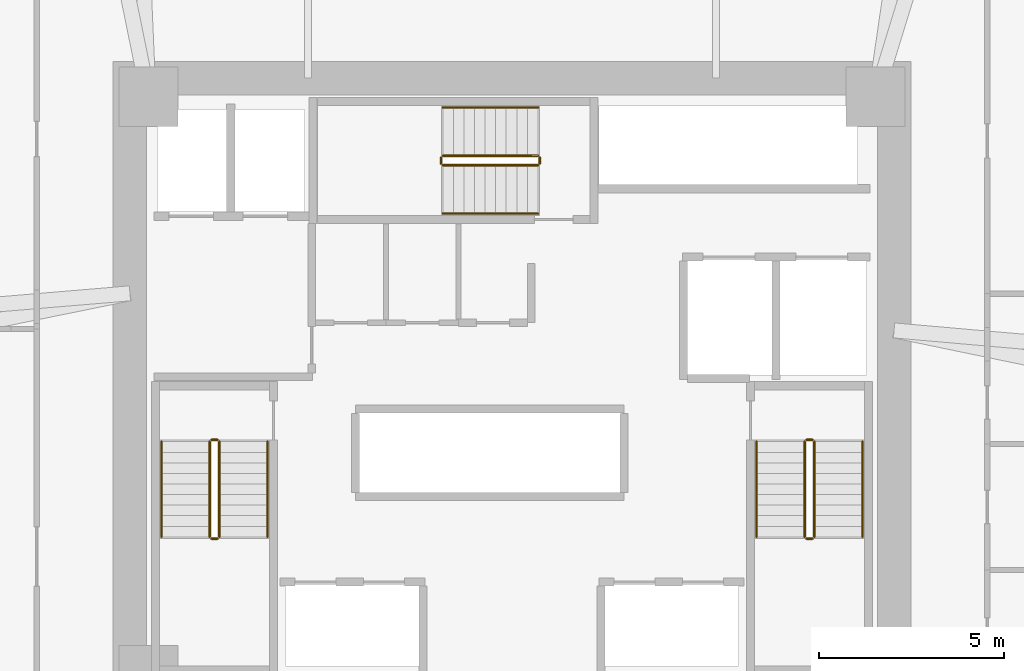
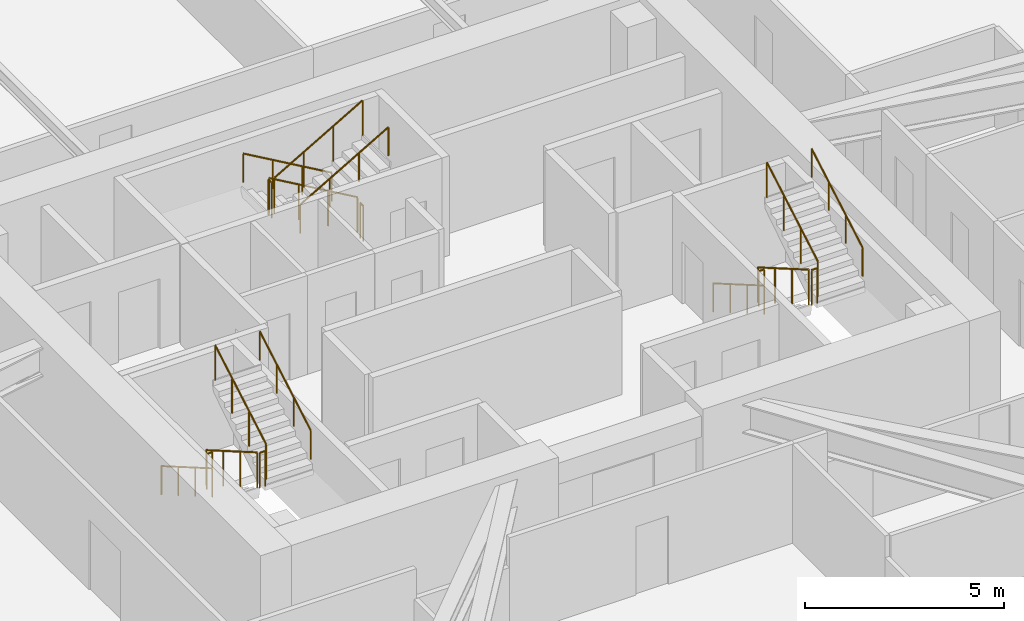
# One storey, part 17 of 17: 18 railings.
"""IFC4 building model written with IfcOpenShell, lengths in metres."""

from ifc_helpers import new_model, si_unit, direction, frame, origin, origin_2d, place, context, subcontext, project, spatial, circle, extrude, material, type_object, element, save


model = new_model("IFC4")

# Units and contexts
model_context = context("Model", 3, precision=1e-05, world=origin(), true_north=direction((0.0, 1.0)))
body_context = subcontext(model_context, "Body", "Model", "MODEL_VIEW")
ifc_project = project(units=[si_unit("LENGTHUNIT", "METRE"), si_unit("AREAUNIT", "SQUARE_METRE"), si_unit("VOLUMEUNIT", "CUBIC_METRE"), si_unit("PLANEANGLEUNIT", "RADIAN"), si_unit("MASSUNIT", "GRAM", prefix="KILO")], contexts=[model_context])

# Site, building, storey
site_placement = place(None, origin())
site = spatial("IfcSite", under=ifc_project, at=site_placement, CompositionType="ELEMENT")
building_placement = place(site_placement, origin())
building = spatial("IfcBuilding", under=site, at=building_placement, Name="Durnholm Broadcast Tower", CompositionType="ELEMENT")
storey_placement = place(building_placement, frame((0.0, 0.0, 52.199951171875)))
storey = spatial("IfcBuildingStorey", under=building, at=storey_placement, Name="L12", CompositionType="ELEMENT", Elevation=52.199951171875)

# Railings
ifc_material_1 = material(Name="Painted Tubular Steel Stair Guardrail", Category="steel")
railing_type_1 = type_object("IfcRailingType", Name="RAIL-ST-GRD", PredefinedType="GUARDRAIL", material=ifc_material_1)
railing_1_placement = place(storey_placement, frame((-8.14990234375, -1.5, 0.1650390625)))
element("IfcRailing", 1, at=railing_1_placement, inside=storey, type_object=railing_type_1, Name="L12 ST-1 stair guard 1", PredefinedType="GUARDRAIL", context=body_context, shape_type="SweptSolid", body=[
    extrude(circle(Radius=0.02392578125, at=origin_2d()), frame((0.0, 0.0, 1.076171875), z_axis=(0.0, -0.865405606168, 0.501071987656), x_axis=(1.0, 0.0, 0.0)), (0.0, 0.0, 1.0), 2.9638671875),
    extrude(circle(Radius=0.02099609375, at=origin_2d()), origin(), (0.0, 0.0, 1.0), 1.052001953125),
    extrude(circle(Radius=0.02099609375, at=origin_2d()), frame((0.0, -0.85498046875, 0.4951171875)), (0.0, 0.0, 1.0), 1.052001953125),
    extrude(circle(Radius=0.02099609375, at=origin_2d()), frame((0.0, -1.7099609375, 0.989990234375)), (0.0, 0.0, 1.0), 1.052001953125),
    extrude(circle(Radius=0.02099609375, at=origin_2d()), frame((0.0, -2.56494140625, 1.485107421875)), (0.0, 0.0, 1.0), 1.052001953125),
])
railing_2_placement = place(storey_placement, frame((-8.10009765625, -4.114990234375, 1.650146484375)))
element("IfcRailing", 2, at=railing_2_placement, inside=storey, type_object=railing_type_1, Name="L12 ST-1 stair guard 2", PredefinedType="GUARDRAIL", context=body_context, shape_type="SweptSolid", body=[
    extrude(circle(Radius=0.02392578125, at=origin_2d()), frame((0.0, 0.0, 1.076171875), z_axis=(1.0, 0.0, 0.0), x_axis=(0.0, 1.0, 0.0)), (0.0, 0.0, 1.0), 0.16015625),
    extrude(circle(Radius=0.02099609375, at=origin_2d()), origin(), (0.0, 0.0, 1.0), 1.052001953125),
    extrude(circle(Radius=0.02099609375, at=origin_2d()), frame((0.16015625, 0.0, 0.0)), (0.0, 0.0, 1.0), 1.052001953125),
])
railing_3_placement = place(storey_placement, frame((-7.889892578125, -4.06494140625, 1.81494140625)))
element("IfcRailing", 3, at=railing_3_placement, inside=storey, type_object=railing_type_1, Name="L12 ST-1 stair guard 3", PredefinedType="GUARDRAIL", context=body_context, shape_type="SweptSolid", body=[
    extrude(circle(Radius=0.02392578125, at=origin_2d()), frame((0.0, 0.0, 1.076171875), z_axis=(0.0, 0.865405606168, 0.501071987656), x_axis=(-1.0, 0.0, 0.0)), (0.0, 0.0, 1.0), 2.9638671875),
    extrude(circle(Radius=0.02099609375, at=origin_2d()), origin(), (0.0, 0.0, 1.0), 1.052001953125),
    extrude(circle(Radius=0.02099609375, at=origin_2d()), frame((0.0, 0.85498046875, 0.4951171875)), (0.0, 0.0, 1.0), 1.052001953125),
    extrude(circle(Radius=0.02099609375, at=origin_2d()), frame((0.0, 1.7099609375, 0.989990234375)), (0.0, 0.0, 1.0), 1.052001953125),
    extrude(circle(Radius=0.02099609375, at=origin_2d()), frame((0.0, 2.56494140625, 1.485107421875)), (0.0, 0.0, 1.0), 1.052001953125),
])
railing_4_placement = place(storey_placement, frame((-8.10009765625, -1.449951171875, 0.0)))
element("IfcRailing", 4, at=railing_4_placement, inside=storey, type_object=railing_type_1, Name="L12 ST-1 stair guard 4", PredefinedType="GUARDRAIL", context=body_context, shape_type="SweptSolid", body=[
    extrude(circle(Radius=0.02392578125, at=origin_2d()), frame((0.0, 0.0, 1.076171875), z_axis=(1.0, 0.0, 0.0), x_axis=(0.0, 1.0, 0.0)), (0.0, 0.0, 1.0), 0.16015625),
    extrude(circle(Radius=0.02099609375, at=origin_2d()), origin(), (0.0, 0.0, 1.0), 1.052001953125),
    extrude(circle(Radius=0.02099609375, at=origin_2d()), frame((0.16015625, 0.0, 0.0)), (0.0, 0.0, 1.0), 1.052001953125),
])
railing_5_placement = place(storey_placement, frame((7.889892578125, -1.5, 0.1650390625)))
element("IfcRailing", 5, at=railing_5_placement, inside=storey, type_object=railing_type_1, Name="L12 ST-2 stair guard 1", PredefinedType="GUARDRAIL", context=body_context, shape_type="SweptSolid", body=[
    extrude(circle(Radius=0.02392578125, at=origin_2d()), frame((0.0, 0.0, 1.076171875), z_axis=(0.0, -0.865405606168, 0.501071987656), x_axis=(1.0, 0.0, 0.0)), (0.0, 0.0, 1.0), 2.9638671875),
    extrude(circle(Radius=0.02099609375, at=origin_2d()), origin(), (0.0, 0.0, 1.0), 1.052001953125),
    extrude(circle(Radius=0.02099609375, at=origin_2d()), frame((0.0, -0.85498046875, 0.4951171875)), (0.0, 0.0, 1.0), 1.052001953125),
    extrude(circle(Radius=0.02099609375, at=origin_2d()), frame((0.0, -1.7099609375, 0.989990234375)), (0.0, 0.0, 1.0), 1.052001953125),
    extrude(circle(Radius=0.02099609375, at=origin_2d()), frame((0.0, -2.56494140625, 1.485107421875)), (0.0, 0.0, 1.0), 1.052001953125),
])
railing_6_placement = place(storey_placement, frame((7.93994140625, -4.114990234375, 1.650146484375)))
element("IfcRailing", 6, at=railing_6_placement, inside=storey, type_object=railing_type_1, Name="L12 ST-2 stair guard 2", PredefinedType="GUARDRAIL", context=body_context, shape_type="SweptSolid", body=[
    extrude(circle(Radius=0.02392578125, at=origin_2d()), frame((0.0, 0.0, 1.076171875), z_axis=(1.0, 0.0, 0.0), x_axis=(0.0, 1.0, 0.0)), (0.0, 0.0, 1.0), 0.16015625),
    extrude(circle(Radius=0.02099609375, at=origin_2d()), origin(), (0.0, 0.0, 1.0), 1.052001953125),
    extrude(circle(Radius=0.02099609375, at=origin_2d()), frame((0.16015625, 0.0, 0.0)), (0.0, 0.0, 1.0), 1.052001953125),
])
railing_7_placement = place(storey_placement, frame((8.14990234375, -4.06494140625, 1.81494140625)))
element("IfcRailing", 7, at=railing_7_placement, inside=storey, type_object=railing_type_1, Name="L12 ST-2 stair guard 3", PredefinedType="GUARDRAIL", context=body_context, shape_type="SweptSolid", body=[
    extrude(circle(Radius=0.02392578125, at=origin_2d()), frame((0.0, 0.0, 1.076171875), z_axis=(0.0, 0.865405606168, 0.501071987656), x_axis=(-1.0, 0.0, 0.0)), (0.0, 0.0, 1.0), 2.9638671875),
    extrude(circle(Radius=0.02099609375, at=origin_2d()), origin(), (0.0, 0.0, 1.0), 1.052001953125),
    extrude(circle(Radius=0.02099609375, at=origin_2d()), frame((0.0, 0.85498046875, 0.4951171875)), (0.0, 0.0, 1.0), 1.052001953125),
    extrude(circle(Radius=0.02099609375, at=origin_2d()), frame((0.0, 1.7099609375, 0.989990234375)), (0.0, 0.0, 1.0), 1.052001953125),
    extrude(circle(Radius=0.02099609375, at=origin_2d()), frame((0.0, 2.56494140625, 1.485107421875)), (0.0, 0.0, 1.0), 1.052001953125),
])
railing_8_placement = place(storey_placement, frame((7.93994140625, -1.449951171875, 0.0)))
element("IfcRailing", 8, at=railing_8_placement, inside=storey, type_object=railing_type_1, Name="L12 ST-2 stair guard 4", PredefinedType="GUARDRAIL", context=body_context, shape_type="SweptSolid", body=[
    extrude(circle(Radius=0.02392578125, at=origin_2d()), frame((0.0, 0.0, 1.076171875), z_axis=(1.0, 0.0, 0.0), x_axis=(0.0, 1.0, 0.0)), (0.0, 0.0, 1.0), 0.16015625),
    extrude(circle(Radius=0.02099609375, at=origin_2d()), origin(), (0.0, 0.0, 1.0), 1.052001953125),
    extrude(circle(Radius=0.02099609375, at=origin_2d()), frame((0.16015625, 0.0, 0.0)), (0.0, 0.0, 1.0), 1.052001953125),
])
railing_9_placement = place(storey_placement, frame((0.699951171875, 6.2099609375, 0.1650390625)))
element("IfcRailing", 9, at=railing_9_placement, inside=storey, type_object=railing_type_1, Name="L12 ST-3 stair guard 1", PredefinedType="GUARDRAIL", context=body_context, shape_type="SweptSolid", body=[
    extrude(circle(Radius=0.02392578125, at=origin_2d()), frame((0.0, 0.0, 1.076171875), z_axis=(-0.865405606168, 0.0, 0.501071987656), x_axis=(0.0, -1.0, 0.0)), (0.0, 0.0, 1.0), 2.9638671875),
    extrude(circle(Radius=0.02099609375, at=origin_2d()), origin(), (0.0, 0.0, 1.0), 1.052001953125),
    extrude(circle(Radius=0.02099609375, at=origin_2d()), frame((-0.85498046875, 0.0, 0.4951171875)), (0.0, 0.0, 1.0), 1.052001953125),
    extrude(circle(Radius=0.02099609375, at=origin_2d()), frame((-1.7099609375, 0.0, 0.989990234375)), (0.0, 0.0, 1.0), 1.052001953125),
    extrude(circle(Radius=0.02099609375, at=origin_2d()), frame((-2.56494140625, 0.0, 1.485107421875)), (0.0, 0.0, 1.0), 1.052001953125),
])
railing_10_placement = place(storey_placement, frame((-1.9150390625, 6.159912109375, 1.650146484375)))
element("IfcRailing", 10, at=railing_10_placement, inside=storey, type_object=railing_type_1, Name="L12 ST-3 stair guard 2", PredefinedType="GUARDRAIL", context=body_context, shape_type="SweptSolid", body=[
    extrude(circle(Radius=0.02392578125, at=origin_2d()), frame((0.0, 0.0, 1.076171875), z_axis=(0.0, -1.0, 0.0), x_axis=(1.0, 0.0, 0.0)), (0.0, 0.0, 1.0), 0.159912109375),
    extrude(circle(Radius=0.02099609375, at=origin_2d()), origin(), (0.0, 0.0, 1.0), 1.052001953125),
    extrude(circle(Radius=0.02099609375, at=origin_2d()), frame((0.0, -0.159912109375, 0.0)), (0.0, 0.0, 1.0), 1.052001953125),
])
railing_11_placement = place(storey_placement, frame((-1.864990234375, 5.949951171875, 1.81494140625)))
element("IfcRailing", 11, at=railing_11_placement, inside=storey, type_object=railing_type_1, Name="L12 ST-3 stair guard 3", PredefinedType="GUARDRAIL", context=body_context, shape_type="SweptSolid", body=[
    extrude(circle(Radius=0.02392578125, at=origin_2d()), frame((0.0, 0.0, 1.076171875), z_axis=(0.865405606168, 0.0, 0.501071987656), x_axis=(0.0, 1.0, 0.0)), (0.0, 0.0, 1.0), 2.9638671875),
    extrude(circle(Radius=0.02099609375, at=origin_2d()), origin(), (0.0, 0.0, 1.0), 1.052001953125),
    extrude(circle(Radius=0.02099609375, at=origin_2d()), frame((0.85498046875, 0.0, 0.4951171875)), (0.0, 0.0, 1.0), 1.052001953125),
    extrude(circle(Radius=0.02099609375, at=origin_2d()), frame((1.7099609375, 0.0, 0.989990234375)), (0.0, 0.0, 1.0), 1.052001953125),
    extrude(circle(Radius=0.02099609375, at=origin_2d()), frame((2.56494140625, 0.0, 1.485107421875)), (0.0, 0.0, 1.0), 1.052001953125),
])
railing_12_placement = place(storey_placement, frame((0.75, 6.159912109375, 0.0)))
element("IfcRailing", 12, at=railing_12_placement, inside=storey, type_object=railing_type_1, Name="L12 ST-3 stair guard 4", PredefinedType="GUARDRAIL", context=body_context, shape_type="SweptSolid", body=[
    extrude(circle(Radius=0.02392578125, at=origin_2d()), frame((0.0, 0.0, 1.076171875), z_axis=(0.0, -1.0, 0.0), x_axis=(1.0, 0.0, 0.0)), (0.0, 0.0, 1.0), 0.159912109375),
    extrude(circle(Radius=0.02099609375, at=origin_2d()), origin(), (0.0, 0.0, 1.0), 1.052001953125),
    extrude(circle(Radius=0.02099609375, at=origin_2d()), frame((0.0, -0.159912109375, 0.0)), (0.0, 0.0, 1.0), 1.052001953125),
])
ifc_material_2 = material(Name="Brushed Stainless Steel Handrail", Category="steel")
railing_type_2 = type_object("IfcRailingType", Name="RAIL-ST-HND", PredefinedType="HANDRAIL", material=ifc_material_2)
railing_13_placement = place(storey_placement, frame((-9.449951171875, -1.5, 0.330078125)))
element("IfcRailing", 13, at=railing_13_placement, inside=storey, type_object=railing_type_2, Name="L12 ST-1 stair handrail 1", PredefinedType="HANDRAIL", context=body_context, shape_type="SweptSolid", body=[
    extrude(circle(Radius=0.02392578125, at=origin_2d()), frame((0.0, 0.0, 0.8759765625), z_axis=(0.0, -0.865441324677, 0.50101029285), x_axis=(1.0, 0.0, 0.0)), (0.0, 0.0, 1.0), 2.963623046875),
    extrude(circle(Radius=0.02099609375, at=origin_2d()), origin(), (0.0, 0.0, 1.0), 0.851806640625),
    extrude(circle(Radius=0.02099609375, at=origin_2d()), frame((0.0, -0.85498046875, 0.494873046875)), (0.0, 0.0, 1.0), 0.851806640625),
    extrude(circle(Radius=0.02099609375, at=origin_2d()), frame((0.0, -1.7099609375, 0.989990234375)), (0.0, 0.0, 1.0), 0.851806640625),
    extrude(circle(Radius=0.02099609375, at=origin_2d()), frame((0.0, -2.56494140625, 1.48486328125)), (0.0, 0.0, 1.0), 0.851806640625),
])
railing_14_placement = place(storey_placement, frame((-6.590087890625, -4.06494140625, 1.97998046875)))
element("IfcRailing", 14, at=railing_14_placement, inside=storey, type_object=railing_type_2, Name="L12 ST-1 stair handrail 2", PredefinedType="HANDRAIL", context=body_context, shape_type="SweptSolid", body=[
    extrude(circle(Radius=0.02392578125, at=origin_2d()), frame((0.0, 0.0, 0.8759765625), z_axis=(0.0, 0.865405606168, 0.501071987656), x_axis=(-1.0, 0.0, 0.0)), (0.0, 0.0, 1.0), 2.9638671875),
    extrude(circle(Radius=0.02099609375, at=origin_2d()), origin(), (0.0, 0.0, 1.0), 0.851806640625),
    extrude(circle(Radius=0.02099609375, at=origin_2d()), frame((0.0, 0.85498046875, 0.4951171875)), (0.0, 0.0, 1.0), 0.851806640625),
    extrude(circle(Radius=0.02099609375, at=origin_2d()), frame((0.0, 1.7099609375, 0.989990234375)), (0.0, 0.0, 1.0), 0.851806640625),
    extrude(circle(Radius=0.02099609375, at=origin_2d()), frame((0.0, 2.56494140625, 1.485107421875)), (0.0, 0.0, 1.0), 0.851806640625),
])
railing_15_placement = place(storey_placement, frame((6.590087890625, -1.5, 0.330078125)))
element("IfcRailing", 15, at=railing_15_placement, inside=storey, type_object=railing_type_2, Name="L12 ST-2 stair handrail 1", PredefinedType="HANDRAIL", context=body_context, shape_type="SweptSolid", body=[
    extrude(circle(Radius=0.02392578125, at=origin_2d()), frame((0.0, 0.0, 0.8759765625), z_axis=(0.0, -0.865441324677, 0.50101029285), x_axis=(1.0, 0.0, 0.0)), (0.0, 0.0, 1.0), 2.963623046875),
    extrude(circle(Radius=0.02099609375, at=origin_2d()), origin(), (0.0, 0.0, 1.0), 0.851806640625),
    extrude(circle(Radius=0.02099609375, at=origin_2d()), frame((0.0, -0.85498046875, 0.494873046875)), (0.0, 0.0, 1.0), 0.851806640625),
    extrude(circle(Radius=0.02099609375, at=origin_2d()), frame((0.0, -1.7099609375, 0.989990234375)), (0.0, 0.0, 1.0), 0.851806640625),
    extrude(circle(Radius=0.02099609375, at=origin_2d()), frame((0.0, -2.56494140625, 1.48486328125)), (0.0, 0.0, 1.0), 0.851806640625),
])
railing_16_placement = place(storey_placement, frame((9.449951171875, -4.06494140625, 1.97998046875)))
element("IfcRailing", 16, at=railing_16_placement, inside=storey, type_object=railing_type_2, Name="L12 ST-2 stair handrail 2", PredefinedType="HANDRAIL", context=body_context, shape_type="SweptSolid", body=[
    extrude(circle(Radius=0.02392578125, at=origin_2d()), frame((0.0, 0.0, 0.8759765625), z_axis=(0.0, 0.865405606168, 0.501071987656), x_axis=(-1.0, 0.0, 0.0)), (0.0, 0.0, 1.0), 2.9638671875),
    extrude(circle(Radius=0.02099609375, at=origin_2d()), origin(), (0.0, 0.0, 1.0), 0.851806640625),
    extrude(circle(Radius=0.02099609375, at=origin_2d()), frame((0.0, 0.85498046875, 0.4951171875)), (0.0, 0.0, 1.0), 0.851806640625),
    extrude(circle(Radius=0.02099609375, at=origin_2d()), frame((0.0, 1.7099609375, 0.989990234375)), (0.0, 0.0, 1.0), 0.851806640625),
    extrude(circle(Radius=0.02099609375, at=origin_2d()), frame((0.0, 2.56494140625, 1.485107421875)), (0.0, 0.0, 1.0), 0.851806640625),
])
railing_17_placement = place(storey_placement, frame((0.699951171875, 7.510009765625, 0.330078125)))
element("IfcRailing", 17, at=railing_17_placement, inside=storey, type_object=railing_type_2, Name="L12 ST-3 stair handrail 1", PredefinedType="HANDRAIL", context=body_context, shape_type="SweptSolid", body=[
    extrude(circle(Radius=0.02392578125, at=origin_2d()), frame((0.0, 0.0, 0.8759765625), z_axis=(-0.865441324677, 0.0, 0.50101029285), x_axis=(0.0, -1.0, 0.0)), (0.0, 0.0, 1.0), 2.963623046875),
    extrude(circle(Radius=0.02099609375, at=origin_2d()), origin(), (0.0, 0.0, 1.0), 0.851806640625),
    extrude(circle(Radius=0.02099609375, at=origin_2d()), frame((-0.85498046875, 0.0, 0.494873046875)), (0.0, 0.0, 1.0), 0.851806640625),
    extrude(circle(Radius=0.02099609375, at=origin_2d()), frame((-1.7099609375, 0.0, 0.989990234375)), (0.0, 0.0, 1.0), 0.851806640625),
    extrude(circle(Radius=0.02099609375, at=origin_2d()), frame((-2.56494140625, 0.0, 1.48486328125)), (0.0, 0.0, 1.0), 0.851806640625),
])
railing_18_placement = place(storey_placement, frame((-1.864990234375, 4.64990234375, 1.97998046875)))
element("IfcRailing", 18, at=railing_18_placement, inside=storey, type_object=railing_type_2, Name="L12 ST-3 stair handrail 2", PredefinedType="HANDRAIL", context=body_context, shape_type="SweptSolid", body=[
    extrude(circle(Radius=0.02392578125, at=origin_2d()), frame((0.0, 0.0, 0.8759765625), z_axis=(0.865405606168, 0.0, 0.501071987656), x_axis=(0.0, 1.0, 0.0)), (0.0, 0.0, 1.0), 2.9638671875),
    extrude(circle(Radius=0.02099609375, at=origin_2d()), origin(), (0.0, 0.0, 1.0), 0.851806640625),
    extrude(circle(Radius=0.02099609375, at=origin_2d()), frame((0.85498046875, 0.0, 0.4951171875)), (0.0, 0.0, 1.0), 0.851806640625),
    extrude(circle(Radius=0.02099609375, at=origin_2d()), frame((1.7099609375, 0.0, 0.989990234375)), (0.0, 0.0, 1.0), 0.851806640625),
    extrude(circle(Radius=0.02099609375, at=origin_2d()), frame((2.56494140625, 0.0, 1.485107421875)), (0.0, 0.0, 1.0), 0.851806640625),
])

save(model, "model.ifc")
